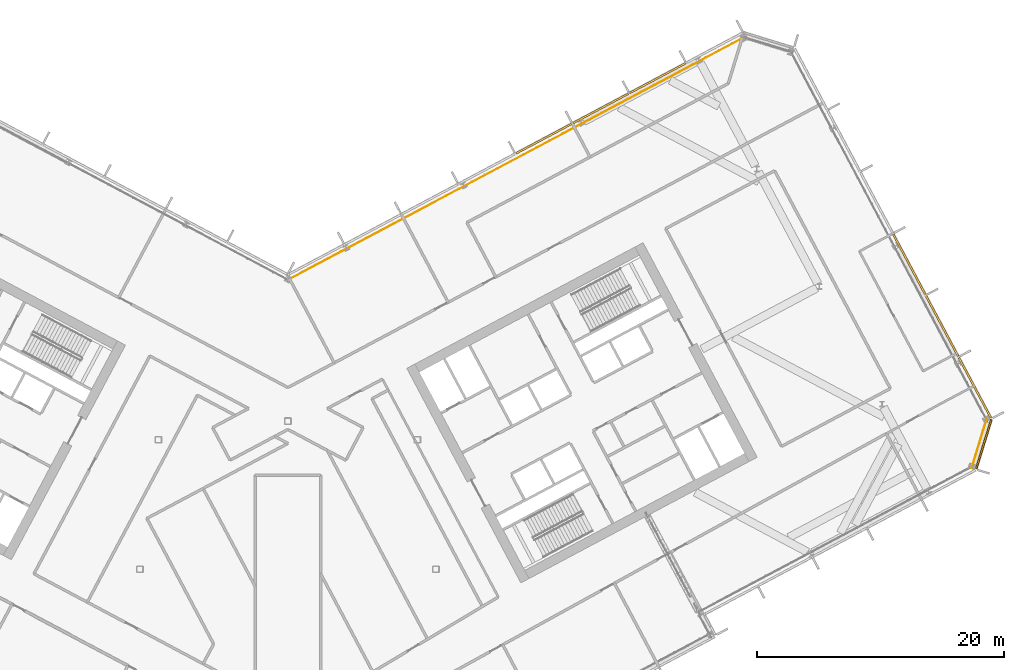
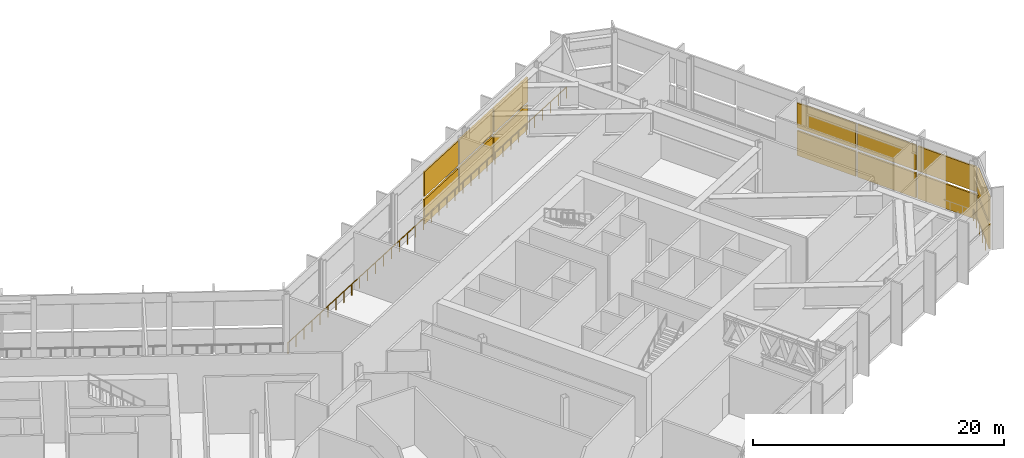
# One storey, part 32 of 33: 14 shading devices, 2 railings, 3 elements without a shape of their own.
"""IFC4 building model written with IfcOpenShell, lengths in metres."""

from ifc_helpers import new_model, si_unit, direction, frame, origin, origin_2d, place, context, subcontext, project, spatial, polyline, rectangle, outline, extrude, material, layer, layer_set, type_object, element, aggregate, save


model = new_model("IFC4")

# Units and contexts
model_context = context("Model", 3, precision=1e-05, world=origin(), true_north=direction((0.0, 1.0)))
body_context = subcontext(model_context, "Body", "Model", "MODEL_VIEW")
ifc_project = project(units=[si_unit("LENGTHUNIT", "METRE"), si_unit("AREAUNIT", "SQUARE_METRE"), si_unit("VOLUMEUNIT", "CUBIC_METRE"), si_unit("PLANEANGLEUNIT", "RADIAN"), si_unit("MASSUNIT", "GRAM", prefix="KILO")], contexts=[model_context])

# Site, building, storey
site_placement = place(None, origin())
site = spatial("IfcSite", under=ifc_project, at=site_placement, CompositionType="ELEMENT")
building_placement = place(site_placement, origin())
building = spatial("IfcBuilding", under=site, at=building_placement, Name="Cormorant Relay Tower", CompositionType="ELEMENT")
storey_placement = place(building_placement, frame((0.0, 0.0, 183.60009765625)))
storey = spatial("IfcBuildingStorey", under=building, at=storey_placement, Name="L39", CompositionType="ELEMENT", Elevation=183.60009765625)

# Railings
ifc_material_1 = material(Name="Stainless steel 316 guard", Category="steel")
railing_type = type_object("IfcRailingType", Name="Band louvre guard 1100", PredefinedType="GUARDRAIL", material=ifc_material_1)
railing_1_placement = place(storey_placement, frame((55.42919921875, 8.193603515625, 0.0)))
element("IfcRailing", 1, at=railing_1_placement, inside=storey, type_object=railing_type, Name="CW4 guard 5", PredefinedType="GUARDRAIL", context=body_context, shape_type="SweptSolid", body=[
    extrude(outline(polyline([(0.022216796875, 0.00927734375), (0.00927734375, 0.022216796875), (-0.00927734375, 0.022216796875), (-0.022216796875, 0.00927734375), (-0.022216796875, -0.00927734375), (-0.00927734375, -0.022216796875), (0.00927734375, -0.022216796875), (0.022216796875, -0.00927734375), (0.022216796875, 0.00927734375)])), frame((0.0, 0.0, 1.076171875), z_axis=(0.292374957137, 0.956303761594, 0.0), x_axis=(-0.956303761594, 0.292374957137, 0.0)), (0.0, 0.0, 1.0), 4.24267578125),
    extrude(outline(polyline([(0.019287109375, 0.008056640625), (0.008056640625, 0.019287109375), (-0.008056640625, 0.019287109375), (-0.019287109375, 0.008056640625), (-0.019287109375, -0.008056640625), (-0.008056640625, -0.019287109375), (0.008056640625, -0.019287109375), (0.019287109375, -0.008056640625), (0.019287109375, 0.008056640625)])), origin(), (0.0, 0.0, 1.0), 1.052001953125),
    extrude(outline(polyline([(0.019287109375, 0.008056640625), (0.008056640625, 0.019287109375), (-0.008056640625, 0.019287109375), (-0.019287109375, 0.008056640625), (-0.019287109375, -0.008056640625), (-0.008056640625, -0.019287109375), (0.008056640625, -0.019287109375), (0.019287109375, -0.008056640625), (0.019287109375, 0.008056640625)])), frame((0.31005859375, 1.014404296875, 0.0)), (0.0, 0.0, 1.0), 1.052001953125),
    extrude(outline(polyline([(0.019287109375, 0.008056640625), (0.008056640625, 0.019287109375), (-0.008056640625, 0.019287109375), (-0.019287109375, 0.008056640625), (-0.019287109375, -0.008056640625), (-0.008056640625, -0.019287109375), (0.008056640625, -0.019287109375), (0.019287109375, -0.008056640625), (0.019287109375, 0.008056640625)])), frame((0.6201171875, 2.02880859375, 0.0)), (0.0, 0.0, 1.0), 1.052001953125),
    extrude(outline(polyline([(0.019287109375, 0.008056640625), (0.008056640625, 0.019287109375), (-0.008056640625, 0.019287109375), (-0.019287109375, 0.008056640625), (-0.019287109375, -0.008056640625), (-0.008056640625, -0.019287109375), (0.008056640625, -0.019287109375), (0.019287109375, -0.008056640625), (0.019287109375, 0.008056640625)])), frame((0.930419921875, 3.04296875, 0.0)), (0.0, 0.0, 1.0), 1.052001953125),
    extrude(outline(polyline([(0.019287109375, 0.008056640625), (0.008056640625, 0.019287109375), (-0.008056640625, 0.019287109375), (-0.019287109375, 0.008056640625), (-0.019287109375, -0.008056640625), (-0.008056640625, -0.019287109375), (0.008056640625, -0.019287109375), (0.019287109375, -0.008056640625), (0.019287109375, 0.008056640625)])), frame((1.240478515625, 4.057373046875, 0.0)), (0.0, 0.0, 1.0), 1.052001953125),
])
railing_2_placement = place(storey_placement, frame((37.078125, 43.158935546875, 0.0)))
element("IfcRailing", 2, at=railing_2_placement, inside=storey, type_object=railing_type, Name="CW4 guard 8", PredefinedType="GUARDRAIL", context=body_context, shape_type="SweptSolid", body=[
    extrude(outline(polyline([(0.022216796875, 0.00927734375), (0.00927734375, 0.022216796875), (-0.00927734375, 0.022216796875), (-0.022216796875, 0.00927734375), (-0.022216796875, -0.00927734375), (-0.00927734375, -0.022216796875), (0.00927734375, -0.022216796875), (0.022216796875, -0.00927734375), (0.022216796875, 0.00927734375)])), frame((0.0, 0.0, 1.076171875), z_axis=(-0.882947540759, -0.469471660771, 0.0), x_axis=(0.469471660771, -0.882947540759, 0.0)), (0.0, 0.0, 1.0), 41.833984375),
    extrude(outline(polyline([(0.019287109375, 0.008056640625), (0.008056640625, 0.019287109375), (-0.008056640625, 0.019287109375), (-0.019287109375, 0.008056640625), (-0.019287109375, -0.008056640625), (-0.008056640625, -0.019287109375), (0.008056640625, -0.019287109375), (0.019287109375, -0.008056640625), (0.019287109375, 0.008056640625)])), origin(), (0.0, 0.0, 1.0), 1.052001953125),
    extrude(outline(polyline([(0.019287109375, 0.008056640625), (0.008056640625, 0.019287109375), (-0.008056640625, 0.019287109375), (-0.019287109375, 0.008056640625), (-0.019287109375, -0.008056640625), (-0.008056640625, -0.019287109375), (0.008056640625, -0.019287109375), (0.019287109375, -0.008056640625), (0.019287109375, 0.008056640625)])), frame((-1.055419921875, -0.56103515625, 0.0)), (0.0, 0.0, 1.0), 1.052001953125),
    extrude(outline(polyline([(0.019287109375, 0.008056640625), (0.008056640625, 0.019287109375), (-0.008056640625, 0.019287109375), (-0.019287109375, 0.008056640625), (-0.019287109375, -0.008056640625), (-0.008056640625, -0.019287109375), (0.008056640625, -0.019287109375), (0.019287109375, -0.008056640625), (0.019287109375, 0.008056640625)])), frame((-2.110595703125, -1.122314453125, 0.0)), (0.0, 0.0, 1.0), 1.052001953125),
    extrude(outline(polyline([(0.019287109375, 0.008056640625), (0.008056640625, 0.019287109375), (-0.008056640625, 0.019287109375), (-0.019287109375, 0.008056640625), (-0.019287109375, -0.008056640625), (-0.008056640625, -0.019287109375), (0.008056640625, -0.019287109375), (0.019287109375, -0.008056640625), (0.019287109375, 0.008056640625)])), frame((-3.166015625, -1.683349609375, 0.0)), (0.0, 0.0, 1.0), 1.052001953125),
    extrude(outline(polyline([(0.019287109375, 0.008056640625), (0.008056640625, 0.019287109375), (-0.008056640625, 0.019287109375), (-0.019287109375, 0.008056640625), (-0.019287109375, -0.008056640625), (-0.008056640625, -0.019287109375), (0.008056640625, -0.019287109375), (0.019287109375, -0.008056640625), (0.019287109375, 0.008056640625)])), frame((-4.221435546875, -2.24462890625, 0.0)), (0.0, 0.0, 1.0), 1.052001953125),
    extrude(outline(polyline([(0.019287109375, 0.008056640625), (0.008056640625, 0.019287109375), (-0.008056640625, 0.019287109375), (-0.019287109375, 0.008056640625), (-0.019287109375, -0.008056640625), (-0.008056640625, -0.019287109375), (0.008056640625, -0.019287109375), (0.019287109375, -0.008056640625), (0.019287109375, 0.008056640625)])), frame((-5.27685546875, -2.8056640625, 0.0)), (0.0, 0.0, 1.0), 1.052001953125),
    extrude(outline(polyline([(0.019287109375, 0.008056640625), (0.008056640625, 0.019287109375), (-0.008056640625, 0.019287109375), (-0.019287109375, 0.008056640625), (-0.019287109375, -0.008056640625), (-0.008056640625, -0.019287109375), (0.008056640625, -0.019287109375), (0.019287109375, -0.008056640625), (0.019287109375, 0.008056640625)])), frame((-6.33203125, -3.366943359375, 0.0)), (0.0, 0.0, 1.0), 1.052001953125),
    extrude(outline(polyline([(0.019287109375, 0.008056640625), (0.008056640625, 0.019287109375), (-0.008056640625, 0.019287109375), (-0.019287109375, 0.008056640625), (-0.019287109375, -0.008056640625), (-0.008056640625, -0.019287109375), (0.008056640625, -0.019287109375), (0.019287109375, -0.008056640625), (0.019287109375, 0.008056640625)])), frame((-7.387451171875, -3.927978515625, 0.0)), (0.0, 0.0, 1.0), 1.052001953125),
    extrude(outline(polyline([(0.019287109375, 0.008056640625), (0.008056640625, 0.019287109375), (-0.008056640625, 0.019287109375), (-0.019287109375, 0.008056640625), (-0.019287109375, -0.008056640625), (-0.008056640625, -0.019287109375), (0.008056640625, -0.019287109375), (0.019287109375, -0.008056640625), (0.019287109375, 0.008056640625)])), frame((-8.44287109375, -4.489013671875, 0.0)), (0.0, 0.0, 1.0), 1.052001953125),
    extrude(outline(polyline([(0.019287109375, 0.008056640625), (0.008056640625, 0.019287109375), (-0.008056640625, 0.019287109375), (-0.019287109375, 0.008056640625), (-0.019287109375, -0.008056640625), (-0.008056640625, -0.019287109375), (0.008056640625, -0.019287109375), (0.019287109375, -0.008056640625), (0.019287109375, 0.008056640625)])), frame((-9.498046875, -5.05029296875, 0.0)), (0.0, 0.0, 1.0), 1.052001953125),
    extrude(outline(polyline([(0.019287109375, 0.008056640625), (0.008056640625, 0.019287109375), (-0.008056640625, 0.019287109375), (-0.019287109375, 0.008056640625), (-0.019287109375, -0.008056640625), (-0.008056640625, -0.019287109375), (0.008056640625, -0.019287109375), (0.019287109375, -0.008056640625), (0.019287109375, 0.008056640625)])), frame((-10.553466796875, -5.611328125, 0.0)), (0.0, 0.0, 1.0), 1.052001953125),
    extrude(outline(polyline([(0.019287109375, 0.008056640625), (0.008056640625, 0.019287109375), (-0.008056640625, 0.019287109375), (-0.019287109375, 0.008056640625), (-0.019287109375, -0.008056640625), (-0.008056640625, -0.019287109375), (0.008056640625, -0.019287109375), (0.019287109375, -0.008056640625), (0.019287109375, 0.008056640625)])), frame((-11.60888671875, -6.172607421875, 0.0)), (0.0, 0.0, 1.0), 1.052001953125),
    extrude(outline(polyline([(0.019287109375, 0.008056640625), (0.008056640625, 0.019287109375), (-0.008056640625, 0.019287109375), (-0.019287109375, 0.008056640625), (-0.019287109375, -0.008056640625), (-0.008056640625, -0.019287109375), (0.008056640625, -0.019287109375), (0.019287109375, -0.008056640625), (0.019287109375, 0.008056640625)])), frame((-12.664306640625, -6.733642578125, 0.0)), (0.0, 0.0, 1.0), 1.052001953125),
    extrude(outline(polyline([(0.019287109375, 0.008056640625), (0.008056640625, 0.019287109375), (-0.008056640625, 0.019287109375), (-0.019287109375, 0.008056640625), (-0.019287109375, -0.008056640625), (-0.008056640625, -0.019287109375), (0.008056640625, -0.019287109375), (0.019287109375, -0.008056640625), (0.019287109375, 0.008056640625)])), frame((-13.719482421875, -7.294921875, 0.0)), (0.0, 0.0, 1.0), 1.052001953125),
    extrude(outline(polyline([(0.019287109375, 0.008056640625), (0.008056640625, 0.019287109375), (-0.008056640625, 0.019287109375), (-0.019287109375, 0.008056640625), (-0.019287109375, -0.008056640625), (-0.008056640625, -0.019287109375), (0.008056640625, -0.019287109375), (0.019287109375, -0.008056640625), (0.019287109375, 0.008056640625)])), frame((-14.77490234375, -7.85595703125, 0.0)), (0.0, 0.0, 1.0), 1.052001953125),
    extrude(outline(polyline([(0.019287109375, 0.008056640625), (0.008056640625, 0.019287109375), (-0.008056640625, 0.019287109375), (-0.019287109375, 0.008056640625), (-0.019287109375, -0.008056640625), (-0.008056640625, -0.019287109375), (0.008056640625, -0.019287109375), (0.019287109375, -0.008056640625), (0.019287109375, 0.008056640625)])), frame((-15.830322265625, -8.4169921875, 0.0)), (0.0, 0.0, 1.0), 1.052001953125),
    extrude(outline(polyline([(0.019287109375, 0.008056640625), (0.008056640625, 0.019287109375), (-0.008056640625, 0.019287109375), (-0.019287109375, 0.008056640625), (-0.019287109375, -0.008056640625), (-0.008056640625, -0.019287109375), (0.008056640625, -0.019287109375), (0.019287109375, -0.008056640625), (0.019287109375, 0.008056640625)])), frame((-16.885498046875, -8.978271484375, 0.0)), (0.0, 0.0, 1.0), 1.052001953125),
    extrude(outline(polyline([(0.019287109375, 0.008056640625), (0.008056640625, 0.019287109375), (-0.008056640625, 0.019287109375), (-0.019287109375, 0.008056640625), (-0.019287109375, -0.008056640625), (-0.008056640625, -0.019287109375), (0.008056640625, -0.019287109375), (0.019287109375, -0.008056640625), (0.019287109375, 0.008056640625)])), frame((-17.94091796875, -9.539306640625, 0.0)), (0.0, 0.0, 1.0), 1.052001953125),
    extrude(outline(polyline([(0.019287109375, 0.008056640625), (0.008056640625, 0.019287109375), (-0.008056640625, 0.019287109375), (-0.019287109375, 0.008056640625), (-0.019287109375, -0.008056640625), (-0.008056640625, -0.019287109375), (0.008056640625, -0.019287109375), (0.019287109375, -0.008056640625), (0.019287109375, 0.008056640625)])), frame((-18.996337890625, -10.1005859375, 0.0)), (0.0, 0.0, 1.0), 1.052001953125),
    extrude(outline(polyline([(0.019287109375, 0.008056640625), (0.008056640625, 0.019287109375), (-0.008056640625, 0.019287109375), (-0.019287109375, 0.008056640625), (-0.019287109375, -0.008056640625), (-0.008056640625, -0.019287109375), (0.008056640625, -0.019287109375), (0.019287109375, -0.008056640625), (0.019287109375, 0.008056640625)])), frame((-20.0517578125, -10.66162109375, 0.0)), (0.0, 0.0, 1.0), 1.052001953125),
    extrude(outline(polyline([(0.019287109375, 0.008056640625), (0.008056640625, 0.019287109375), (-0.008056640625, 0.019287109375), (-0.019287109375, 0.008056640625), (-0.019287109375, -0.008056640625), (-0.008056640625, -0.019287109375), (0.008056640625, -0.019287109375), (0.019287109375, -0.008056640625), (0.019287109375, 0.008056640625)])), frame((-21.10693359375, -11.222900390625, 0.0)), (0.0, 0.0, 1.0), 1.052001953125),
    extrude(outline(polyline([(0.019287109375, 0.008056640625), (0.008056640625, 0.019287109375), (-0.008056640625, 0.019287109375), (-0.019287109375, 0.008056640625), (-0.019287109375, -0.008056640625), (-0.008056640625, -0.019287109375), (0.008056640625, -0.019287109375), (0.019287109375, -0.008056640625), (0.019287109375, 0.008056640625)])), frame((-22.162353515625, -11.783935546875, 0.0)), (0.0, 0.0, 1.0), 1.052001953125),
    extrude(outline(polyline([(0.019287109375, 0.008056640625), (0.008056640625, 0.019287109375), (-0.008056640625, 0.019287109375), (-0.019287109375, 0.008056640625), (-0.019287109375, -0.008056640625), (-0.008056640625, -0.019287109375), (0.008056640625, -0.019287109375), (0.019287109375, -0.008056640625), (0.019287109375, 0.008056640625)])), frame((-23.2177734375, -12.344970703125, 0.0)), (0.0, 0.0, 1.0), 1.052001953125),
    extrude(outline(polyline([(0.019287109375, 0.008056640625), (0.008056640625, 0.019287109375), (-0.008056640625, 0.019287109375), (-0.019287109375, 0.008056640625), (-0.019287109375, -0.008056640625), (-0.008056640625, -0.019287109375), (0.008056640625, -0.019287109375), (0.019287109375, -0.008056640625), (0.019287109375, 0.008056640625)])), frame((-24.27294921875, -12.90625, 0.0)), (0.0, 0.0, 1.0), 1.052001953125),
    extrude(outline(polyline([(0.019287109375, 0.008056640625), (0.008056640625, 0.019287109375), (-0.008056640625, 0.019287109375), (-0.019287109375, 0.008056640625), (-0.019287109375, -0.008056640625), (-0.008056640625, -0.019287109375), (0.008056640625, -0.019287109375), (0.019287109375, -0.008056640625), (0.019287109375, 0.008056640625)])), frame((-25.328369140625, -13.46728515625, 0.0)), (0.0, 0.0, 1.0), 1.052001953125),
    extrude(outline(polyline([(0.019287109375, 0.008056640625), (0.008056640625, 0.019287109375), (-0.008056640625, 0.019287109375), (-0.019287109375, 0.008056640625), (-0.019287109375, -0.008056640625), (-0.008056640625, -0.019287109375), (0.008056640625, -0.019287109375), (0.019287109375, -0.008056640625), (0.019287109375, 0.008056640625)])), frame((-26.3837890625, -14.028564453125, 0.0)), (0.0, 0.0, 1.0), 1.052001953125),
    extrude(outline(polyline([(0.019287109375, 0.008056640625), (0.008056640625, 0.019287109375), (-0.008056640625, 0.019287109375), (-0.019287109375, 0.008056640625), (-0.019287109375, -0.008056640625), (-0.008056640625, -0.019287109375), (0.008056640625, -0.019287109375), (0.019287109375, -0.008056640625), (0.019287109375, 0.008056640625)])), frame((-27.439208984375, -14.589599609375, 0.0)), (0.0, 0.0, 1.0), 1.052001953125),
    extrude(outline(polyline([(0.019287109375, 0.008056640625), (0.008056640625, 0.019287109375), (-0.008056640625, 0.019287109375), (-0.019287109375, 0.008056640625), (-0.019287109375, -0.008056640625), (-0.008056640625, -0.019287109375), (0.008056640625, -0.019287109375), (0.019287109375, -0.008056640625), (0.019287109375, 0.008056640625)])), frame((-28.494384765625, -15.15087890625, 0.0)), (0.0, 0.0, 1.0), 1.052001953125),
    extrude(outline(polyline([(0.019287109375, 0.008056640625), (0.008056640625, 0.019287109375), (-0.008056640625, 0.019287109375), (-0.019287109375, 0.008056640625), (-0.019287109375, -0.008056640625), (-0.008056640625, -0.019287109375), (0.008056640625, -0.019287109375), (0.019287109375, -0.008056640625), (0.019287109375, 0.008056640625)])), frame((-29.5498046875, -15.7119140625, 0.0)), (0.0, 0.0, 1.0), 1.052001953125),
    extrude(outline(polyline([(0.019287109375, 0.008056640625), (0.008056640625, 0.019287109375), (-0.008056640625, 0.019287109375), (-0.019287109375, 0.008056640625), (-0.019287109375, -0.008056640625), (-0.008056640625, -0.019287109375), (0.008056640625, -0.019287109375), (0.019287109375, -0.008056640625), (0.019287109375, 0.008056640625)])), frame((-30.605224609375, -16.27294921875, 0.0)), (0.0, 0.0, 1.0), 1.052001953125),
    extrude(outline(polyline([(0.019287109375, 0.008056640625), (0.008056640625, 0.019287109375), (-0.008056640625, 0.019287109375), (-0.019287109375, 0.008056640625), (-0.019287109375, -0.008056640625), (-0.008056640625, -0.019287109375), (0.008056640625, -0.019287109375), (0.019287109375, -0.008056640625), (0.019287109375, 0.008056640625)])), frame((-31.660400390625, -16.834228515625, 0.0)), (0.0, 0.0, 1.0), 1.052001953125),
    extrude(outline(polyline([(0.019287109375, 0.008056640625), (0.008056640625, 0.019287109375), (-0.008056640625, 0.019287109375), (-0.019287109375, 0.008056640625), (-0.019287109375, -0.008056640625), (-0.008056640625, -0.019287109375), (0.008056640625, -0.019287109375), (0.019287109375, -0.008056640625), (0.019287109375, 0.008056640625)])), frame((-32.7158203125, -17.395263671875, 0.0)), (0.0, 0.0, 1.0), 1.052001953125),
    extrude(outline(polyline([(0.019287109375, 0.008056640625), (0.008056640625, 0.019287109375), (-0.008056640625, 0.019287109375), (-0.019287109375, 0.008056640625), (-0.019287109375, -0.008056640625), (-0.008056640625, -0.019287109375), (0.008056640625, -0.019287109375), (0.019287109375, -0.008056640625), (0.019287109375, 0.008056640625)])), frame((-33.771240234375, -17.95654296875, 0.0)), (0.0, 0.0, 1.0), 1.052001953125),
    extrude(outline(polyline([(0.019287109375, 0.008056640625), (0.008056640625, 0.019287109375), (-0.008056640625, 0.019287109375), (-0.019287109375, 0.008056640625), (-0.019287109375, -0.008056640625), (-0.008056640625, -0.019287109375), (0.008056640625, -0.019287109375), (0.019287109375, -0.008056640625), (0.019287109375, 0.008056640625)])), frame((-34.82666015625, -18.517578125, 0.0)), (0.0, 0.0, 1.0), 1.052001953125),
    extrude(outline(polyline([(0.019287109375, 0.008056640625), (0.008056640625, 0.019287109375), (-0.008056640625, 0.019287109375), (-0.019287109375, 0.008056640625), (-0.019287109375, -0.008056640625), (-0.008056640625, -0.019287109375), (0.008056640625, -0.019287109375), (0.019287109375, -0.008056640625), (0.019287109375, 0.008056640625)])), frame((-35.8818359375, -19.078857421875, 0.0)), (0.0, 0.0, 1.0), 1.052001953125),
    extrude(outline(polyline([(0.019287109375, 0.008056640625), (0.008056640625, 0.019287109375), (-0.008056640625, 0.019287109375), (-0.019287109375, 0.008056640625), (-0.019287109375, -0.008056640625), (-0.008056640625, -0.019287109375), (0.008056640625, -0.019287109375), (0.019287109375, -0.008056640625), (0.019287109375, 0.008056640625)])), frame((-36.937255859375, -19.639892578125, 0.0)), (0.0, 0.0, 1.0), 1.052001953125),
])

# Curtain wall, shading devices
ifc_material_2 = material(Name="Aluminium 6063-T6 anodised bronze", Category="aluminium")
ifc_layer = layer(ifc_material_2, 0.199951171875)
ifc_layer_set = layer_set([ifc_layer], Name="CW4 band louvre wall")
curtain_wall_type = type_object("IfcCurtainWallType", Name="CW4 band louvre wall", PredefinedType="NOTDEFINED", material=ifc_layer_set)
curtain_wall_1_placement = place(storey_placement, origin())
curtain_wall_1 = element("IfcCurtainWall", 3, at=curtain_wall_1_placement, inside=storey, type_object=curtain_wall_type, Name="CW4 curtain wall 5", PredefinedType="NOTDEFINED")
ifc_material_3 = material(Name="Aluminium 6063-T6 anodised bronze louvre", Category="aluminium")
shading_device_type = type_object("IfcShadingDeviceType", Name="CW4 bronze louvre bank 150 x 2400", PredefinedType="USERDEFINED", material=ifc_material_3)
shading_device_1_placement = place(storey_placement, frame((56.419189453125, 10.148681640625, 2.699951171875), z_axis=(0.0, 0.0, 1.0), x_axis=(0.292371704723, 0.956304755963, 0.0)))
shading_device_1 = element("IfcShadingDevice", 4, at=shading_device_1_placement, type_object=shading_device_type, Name="CW4 louvre bank U5.1", ObjectType="LOUVRE", PredefinedType="USERDEFINED", context=body_context, shape_type="SweptSolid", body=[
    extrude(rectangle(XDim=4.16748046875, YDim=0.14990234375, at=origin_2d()), origin(), (0.0, 0.0, 1.0), 2.39990234375),
])
shading_device_2_placement = place(storey_placement, frame((56.419189453125, 10.148681640625, 0.0), z_axis=(0.0, 0.0, 1.0), x_axis=(0.292371704723, 0.956304755963, 0.0)))
shading_device_2 = element("IfcShadingDevice", 5, at=shading_device_2_placement, type_object=shading_device_type, Name="CW4 louvre bank D5.1", ObjectType="LOUVRE", PredefinedType="USERDEFINED", context=body_context, shape_type="SweptSolid", body=[
    extrude(rectangle(XDim=4.16748046875, YDim=0.14990234375, at=origin_2d()), origin(), (0.0, 0.0, 1.0), 2.39990234375),
])
aggregate(curtain_wall_1, [shading_device_1, shading_device_2])

curtain_wall_2_placement = place(storey_placement, origin())
curtain_wall_2 = element("IfcCurtainWall", 6, at=curtain_wall_2_placement, inside=storey, type_object=curtain_wall_type, Name="CW4 curtain wall 6", PredefinedType="NOTDEFINED")
shading_device_3_placement = place(storey_placement, frame((55.692626953125, 14.7001953125, 2.699951171875), z_axis=(0.0, 0.0, 1.0), x_axis=(-0.469471562786, 0.882947592859, 0.0)))
shading_device_3 = element("IfcShadingDevice", 7, at=shading_device_3_placement, type_object=shading_device_type, Name="CW4 louvre bank U6.1", ObjectType="LOUVRE", PredefinedType="USERDEFINED", context=body_context, shape_type="SweptSolid", body=[
    extrude(rectangle(XDim=5.5166015625, YDim=0.14990234375, at=origin_2d()), origin(), (0.0, 0.0, 1.0), 2.39990234375),
])
shading_device_4_placement = place(storey_placement, frame((55.692626953125, 14.7001953125, 0.0), z_axis=(0.0, 0.0, 1.0), x_axis=(-0.469471562786, 0.882947592859, 0.0)))
shading_device_4 = element("IfcShadingDevice", 8, at=shading_device_4_placement, type_object=shading_device_type, Name="CW4 louvre bank D6.1", ObjectType="LOUVRE", PredefinedType="USERDEFINED", context=body_context, shape_type="SweptSolid", body=[
    extrude(rectangle(XDim=5.5166015625, YDim=0.14990234375, at=origin_2d()), origin(), (0.0, 0.0, 1.0), 2.39990234375),
])
shading_device_5_placement = place(storey_placement, frame((53.0322265625, 19.70361328125, 2.699951171875), z_axis=(0.0, 0.0, 1.0), x_axis=(-0.469471562786, 0.882947592859, 0.0)))
shading_device_5 = element("IfcShadingDevice", 9, at=shading_device_5_placement, type_object=shading_device_type, Name="CW4 louvre bank U6.2", ObjectType="LOUVRE", PredefinedType="USERDEFINED", context=body_context, shape_type="SweptSolid", body=[
    extrude(rectangle(XDim=5.5166015625, YDim=0.14990234375, at=origin_2d()), origin(), (0.0, 0.0, 1.0), 2.39990234375),
])
shading_device_6_placement = place(storey_placement, frame((53.0322265625, 19.70361328125, 0.0), z_axis=(0.0, 0.0, 1.0), x_axis=(-0.469471562786, 0.882947592859, 0.0)))
shading_device_6 = element("IfcShadingDevice", 10, at=shading_device_6_placement, type_object=shading_device_type, Name="CW4 louvre bank D6.2", ObjectType="LOUVRE", PredefinedType="USERDEFINED", context=body_context, shape_type="SweptSolid", body=[
    extrude(rectangle(XDim=5.5166015625, YDim=0.14990234375, at=origin_2d()), origin(), (0.0, 0.0, 1.0), 2.39990234375),
])
shading_device_7_placement = place(storey_placement, frame((50.3720703125, 24.706787109375, 2.699951171875), z_axis=(0.0, 0.0, 1.0), x_axis=(-0.469471562786, 0.882947592859, 0.0)))
shading_device_7 = element("IfcShadingDevice", 11, at=shading_device_7_placement, type_object=shading_device_type, Name="CW4 louvre bank U6.3", ObjectType="LOUVRE", PredefinedType="USERDEFINED", context=body_context, shape_type="SweptSolid", body=[
    extrude(rectangle(XDim=5.5166015625, YDim=0.14990234375, at=origin_2d()), origin(), (0.0, 0.0, 1.0), 2.39990234375),
])
shading_device_8_placement = place(storey_placement, frame((50.3720703125, 24.706787109375, 0.0), z_axis=(0.0, 0.0, 1.0), x_axis=(-0.469471562786, 0.882947592859, 0.0)))
shading_device_8 = element("IfcShadingDevice", 12, at=shading_device_8_placement, type_object=shading_device_type, Name="CW4 louvre bank D6.3", ObjectType="LOUVRE", PredefinedType="USERDEFINED", context=body_context, shape_type="SweptSolid", body=[
    extrude(rectangle(XDim=5.5166015625, YDim=0.14990234375, at=origin_2d()), origin(), (0.0, 0.0, 1.0), 2.39990234375),
])
aggregate(curtain_wall_2, [shading_device_3, shading_device_4, shading_device_5, shading_device_6, shading_device_7, shading_device_8])

curtain_wall_3_placement = place(storey_placement, origin())
curtain_wall_3 = element("IfcCurtainWall", 13, at=curtain_wall_3_placement, inside=storey, type_object=curtain_wall_type, Name="CW4 curtain wall 8", PredefinedType="NOTDEFINED")
shading_device_9_placement = place(storey_placement, frame((29.976318359375, 39.8076171875, 2.699951171875), z_axis=(0.0, 0.0, 1.0), x_axis=(-0.882947592859, -0.469471562786, 0.0)))
shading_device_9 = element("IfcShadingDevice", 14, at=shading_device_9_placement, type_object=shading_device_type, Name="CW4 louvre bank U8.2", ObjectType="LOUVRE", PredefinedType="USERDEFINED", context=body_context, shape_type="SweptSolid", body=[
    extrude(rectangle(XDim=5.079345703125, YDim=0.14990234375, at=origin_2d()), origin(), (0.0, 0.0, 1.0), 2.39990234375),
])
shading_device_10_placement = place(storey_placement, frame((29.976318359375, 39.8076171875, 0.0), z_axis=(0.0, 0.0, 1.0), x_axis=(-0.882947592859, -0.469471562786, 0.0)))
shading_device_10 = element("IfcShadingDevice", 15, at=shading_device_10_placement, type_object=shading_device_type, Name="CW4 louvre bank D8.2", ObjectType="LOUVRE", PredefinedType="USERDEFINED", context=body_context, shape_type="SweptSolid", body=[
    extrude(rectangle(XDim=5.079345703125, YDim=0.14990234375, at=origin_2d()), origin(), (0.0, 0.0, 1.0), 2.39990234375),
])
shading_device_11_placement = place(storey_placement, frame((25.359130859375, 37.3525390625, 2.699951171875), z_axis=(0.0, 0.0, 1.0), x_axis=(-0.882947592859, -0.469471562786, 0.0)))
shading_device_11 = element("IfcShadingDevice", 16, at=shading_device_11_placement, type_object=shading_device_type, Name="CW4 louvre bank U8.3", ObjectType="LOUVRE", PredefinedType="USERDEFINED", context=body_context, shape_type="SweptSolid", body=[
    extrude(rectangle(XDim=5.079345703125, YDim=0.14990234375, at=origin_2d()), origin(), (0.0, 0.0, 1.0), 2.39990234375),
])
shading_device_12_placement = place(storey_placement, frame((25.359130859375, 37.3525390625, 0.0), z_axis=(0.0, 0.0, 1.0), x_axis=(-0.882947592859, -0.469471562786, 0.0)))
shading_device_12 = element("IfcShadingDevice", 17, at=shading_device_12_placement, type_object=shading_device_type, Name="CW4 louvre bank D8.3", ObjectType="LOUVRE", PredefinedType="USERDEFINED", context=body_context, shape_type="SweptSolid", body=[
    extrude(rectangle(XDim=5.079345703125, YDim=0.14990234375, at=origin_2d()), origin(), (0.0, 0.0, 1.0), 2.39990234375),
])
shading_device_13_placement = place(storey_placement, frame((20.741943359375, 34.897705078125, 2.699951171875), z_axis=(0.0, 0.0, 1.0), x_axis=(-0.882947592859, -0.469471562786, 0.0)))
shading_device_13 = element("IfcShadingDevice", 18, at=shading_device_13_placement, type_object=shading_device_type, Name="CW4 louvre bank U8.4", ObjectType="LOUVRE", PredefinedType="USERDEFINED", context=body_context, shape_type="SweptSolid", body=[
    extrude(rectangle(XDim=5.079345703125, YDim=0.14990234375, at=origin_2d()), origin(), (0.0, 0.0, 1.0), 2.39990234375),
])
shading_device_14_placement = place(storey_placement, frame((20.741943359375, 34.897705078125, 0.0), z_axis=(0.0, 0.0, 1.0), x_axis=(-0.882947592859, -0.469471562786, 0.0)))
shading_device_14 = element("IfcShadingDevice", 19, at=shading_device_14_placement, type_object=shading_device_type, Name="CW4 louvre bank D8.4", ObjectType="LOUVRE", PredefinedType="USERDEFINED", context=body_context, shape_type="SweptSolid", body=[
    extrude(rectangle(XDim=5.079345703125, YDim=0.14990234375, at=origin_2d()), origin(), (0.0, 0.0, 1.0), 2.39990234375),
])
aggregate(curtain_wall_3, [shading_device_9, shading_device_10, shading_device_11, shading_device_12, shading_device_13, shading_device_14])

save(model, "model.ifc")
